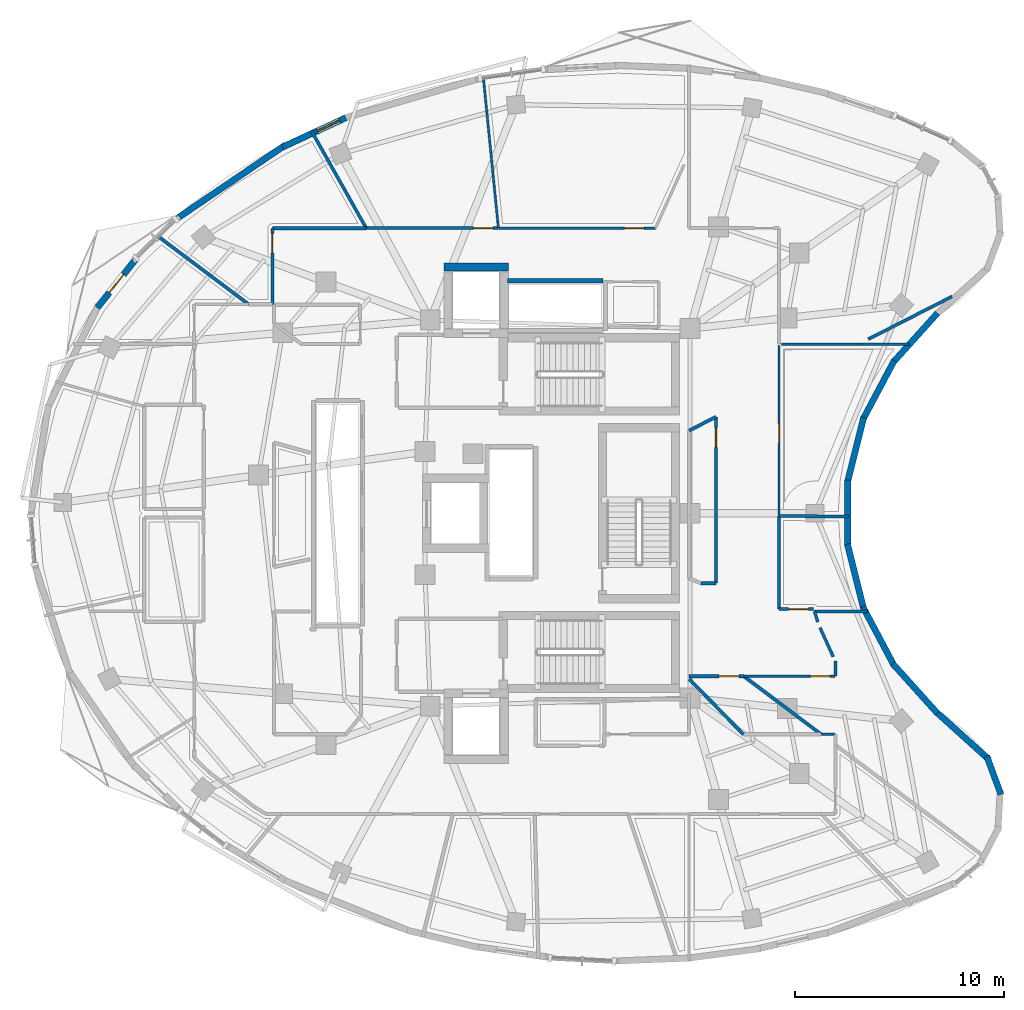
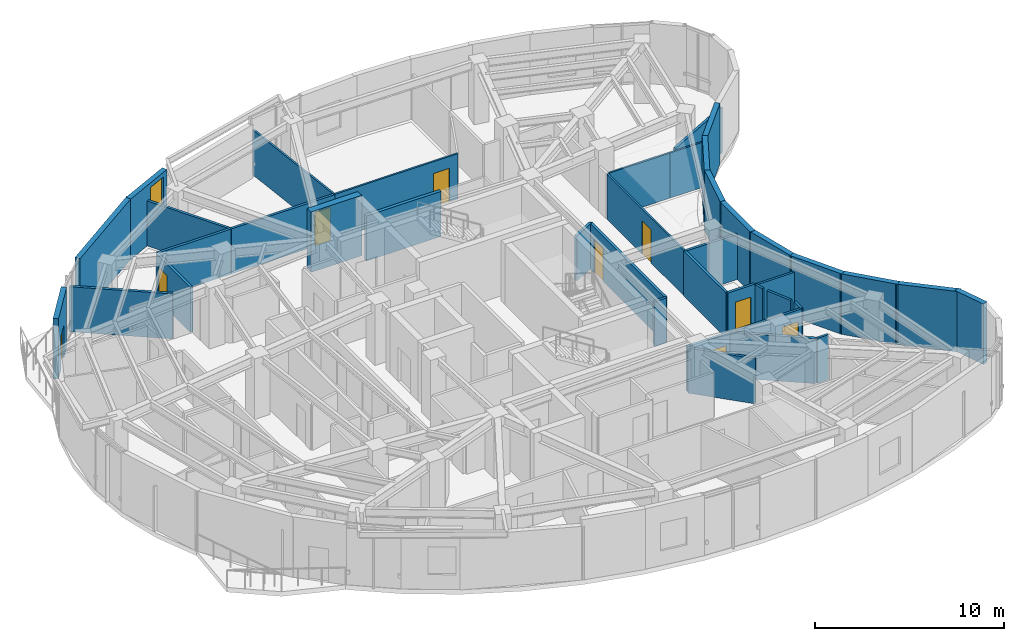
# One storey, part 10 of 14: 40 walls, 9 doors, 1 window, 10 openings.
"""IFC4 building model written with IfcOpenShell, lengths in metres."""

from ifc_helpers import new_model, si_unit, direction, frame, frame_2d, origin, place, context, subcontext, project, spatial, rectangle, extrude, material, layer, layer_set, type_object, element, fill, save


model = new_model("IFC4")

# Units and contexts
model_context = context("Model", 3, precision=1e-05, world=origin(), true_north=direction((0.0, 1.0)))
body_context = subcontext(model_context, "Body", "Model", "MODEL_VIEW")
ifc_project = project(units=[si_unit("LENGTHUNIT", "METRE"), si_unit("AREAUNIT", "SQUARE_METRE"), si_unit("VOLUMEUNIT", "CUBIC_METRE"), si_unit("PLANEANGLEUNIT", "RADIAN"), si_unit("MASSUNIT", "GRAM", prefix="KILO")], contexts=[model_context])

# Site, building, storey
site_placement = place(None, origin())
site = spatial("IfcSite", under=ifc_project, at=site_placement, CompositionType="ELEMENT")
building_placement = place(site_placement, origin())
building = spatial("IfcBuilding", under=site, at=building_placement, Name="Korentha Bioscience Tower", CompositionType="ELEMENT")
storey_placement = place(building_placement, frame((0.0, 0.0, 252.0)))
storey = spatial("IfcBuildingStorey", under=building, at=storey_placement, Name="L58", CompositionType="ELEMENT", Elevation=252.0)

# Wall, opening, door
ifc_material_1 = material(Name="Double-Stud Acoustic Gypsum", Category="gypsum")
ifc_layer_1 = layer(ifc_material_1, 0.14990234375, Name="Double-Stud Acoustic Gypsum")
ifc_layer_set_1 = layer_set([ifc_layer_1], Name="Double-Stud Acoustic Gypsum (IW-L150)")
wall_type_1 = type_object("IfcWallType", Name="Acoustic Laboratory Partition Wall 150", PredefinedType="PARTITIONING", material=ifc_layer_set_1)
wall_1_placement = place(storey_placement, frame((43.463623046875, 22.409912109375, 0.0), z_axis=(0.0, 0.0, 1.0), x_axis=(-1.0, 0.0, 0.0)))
wall_1 = element("IfcWall", 1, at=wall_1_placement, inside=storey, type_object=wall_type_1, Name="L58 Lyophilization Freeze-Drying Room 13 Entrance Wall", PredefinedType="PARTITIONING", context=body_context, shape_type="SweptSolid", body=[
    extrude(rectangle(XDim=1.653564453125, YDim=0.14990234375, at=frame_2d((0.82666015625, 0.0))), origin(), (0.0, 0.0, 1.0), 2.909912109375),
])
opening_1_placement = place(wall_1_placement, frame((0.239990234375, 0.0, 0.0)))
opening_1 = element("IfcOpeningElement", 2, at=opening_1_placement, cuts=wall_1, Name="Opening ID-10L", PredefinedType="OPENING", context=body_context, shape_type="SweptSolid", body=[
    extrude(rectangle(XDim=0.949951171875, YDim=2.14990234375, at=frame_2d((0.47509765625, 1.074951171875))), frame((0.0, 0.08984375, 0.0), z_axis=(0.0, -1.0, 0.0), x_axis=(1.0, 0.0, 0.0)), (0.0, 0.0, 1.0), 0.1796875),
])
ifc_material_2 = material(Name="Phenolic Laminate Timber Core", Category="wood")
door_type_1 = type_object("IfcDoorType", Name="Laboratory Single Leaf Door 950x2150 Left", OperationType="SINGLE_SWING_LEFT", PredefinedType="DOOR", material=ifc_material_2)
door_1_placement = place(opening_1_placement, origin())
door_1 = element("IfcDoor", 3, at=door_1_placement, inside=storey, type_object=door_type_1, Name="L58 Lyophilization Freeze-Drying Room 13 Door", OperationType="SINGLE_SWING_LEFT", OverallHeight=2.14990234375, OverallWidth=0.949951171875, PredefinedType="DOOR", context=body_context, shape_type="SweptSolid", body=[
    extrude(rectangle(XDim=0.949951171875, YDim=2.14990234375, at=frame_2d((0.47509765625, 1.074951171875))), frame((0.0, 0.02490234375, 0.0), z_axis=(0.0, -1.0, 0.0), x_axis=(1.0, 0.0, 0.0)), (0.0, 0.0, 1.0), 0.050048828125),
])
fill(opening_1, door_1)

wall_2_placement = place(storey_placement, frame((28.353515625, 40.659912109375, 0.0), z_axis=(0.0, 0.0, 1.0), x_axis=(-1.0, 0.0, 0.0)))
wall_2 = element("IfcWall", 4, at=wall_2_placement, inside=storey, type_object=wall_type_1, Name="L58 Daylight Break and Coffee Bar 18 Entrance Wall", PredefinedType="PARTITIONING", context=body_context, shape_type="SweptSolid", body=[
    extrude(rectangle(XDim=6.322998046875, YDim=0.14990234375, at=frame_2d((3.16162109375, 0.0))), origin(), (0.0, 0.0, 1.0), 2.909912109375),
])
opening_2_placement = place(wall_2_placement, frame((0.239990234375, 0.0, 0.0)))
opening_2 = element("IfcOpeningElement", 5, at=opening_2_placement, cuts=wall_2, Name="Opening ID-10R", PredefinedType="OPENING", context=body_context, shape_type="SweptSolid", body=[
    extrude(rectangle(XDim=0.949951171875, YDim=2.14990234375, at=frame_2d((0.47509765625, 1.074951171875))), frame((0.0, 0.08984375, 0.0), z_axis=(0.0, -1.0, 0.0), x_axis=(1.0, 0.0, 0.0)), (0.0, 0.0, 1.0), 0.1796875),
])
door_type_2 = type_object("IfcDoorType", Name="Laboratory Single Leaf Door 950x2150 Right", OperationType="SINGLE_SWING_RIGHT", PredefinedType="DOOR", material=ifc_material_2)
door_2_placement = place(opening_2_placement, origin())
door_2 = element("IfcDoor", 6, at=door_2_placement, inside=storey, type_object=door_type_2, Name="L58 Daylight Break and Coffee Bar 18 Door", OperationType="SINGLE_SWING_RIGHT", OverallHeight=2.14990234375, OverallWidth=0.949951171875, PredefinedType="DOOR", context=body_context, shape_type="SweptSolid", body=[
    extrude(rectangle(XDim=0.949951171875, YDim=2.14990234375, at=frame_2d((0.47509765625, 1.074951171875))), frame((0.0, 0.02490234375, 0.0), z_axis=(0.0, -1.0, 0.0), x_axis=(1.0, 0.0, 0.0)), (0.0, 0.0, 1.0), 0.050048828125),
])
fill(opening_2, door_2)

# Walls
wall_3_placement = place(storey_placement, frame((41.81005859375, 22.409912109375, 0.0), z_axis=(0.0, 0.0, 1.0), x_axis=(0.0, 1.0, 0.0)))
element("IfcWall", 7, at=wall_3_placement, inside=storey, type_object=wall_type_1, Name="L58 Interior Partition 078", PredefinedType="PARTITIONING", context=body_context, shape_type="SweptSolid", body=[
    extrude(rectangle(XDim=4.46142578125, YDim=0.14990234375, at=frame_2d((2.230712890625, 0.0))), origin(), (0.0, 0.0, 1.0), 2.909912109375),
])
wall_4_placement = place(storey_placement, frame((41.81005859375, 26.871337890625, 0.0), z_axis=(0.0, 0.0, 1.0), x_axis=(0.999945909762, -0.010400843773, 0.0)))
element("IfcWall", 8, at=wall_4_placement, inside=storey, type_object=wall_type_1, Name="L58 Interior Partition 079", PredefinedType="PARTITIONING", context=body_context, shape_type="SweptSolid", body=[
    extrude(rectangle(XDim=3.333251953125, YDim=0.14990234375, at=frame_2d((1.66650390625, 0.0))), origin(), (0.0, 0.0, 1.0), 2.909912109375),
])
wall_5_placement = place(storey_placement, frame((50.10009765625, 37.3837890625, 0.0), z_axis=(0.0, 0.0, 1.0), x_axis=(-0.890998975223, -0.454005315114, 0.0)))
element("IfcWall", 9, at=wall_5_placement, inside=storey, type_object=wall_type_1, Name="L58 Interior Partition 088", PredefinedType="PARTITIONING", context=body_context, shape_type="SweptSolid", body=[
    extrude(rectangle(XDim=4.50634765625, YDim=0.14990234375, at=frame_2d((2.253173828125, 0.0))), origin(), (0.0, 0.0, 1.0), 2.909912109375),
])
wall_6_placement = place(storey_placement, frame((22.030517578125, 40.659912109375, 0.0), z_axis=(0.0, 0.0, 1.0), x_axis=(-0.490903118402, 0.871214169044, 0.0)))
element("IfcWall", 10, at=wall_6_placement, inside=storey, type_object=wall_type_1, Name="L58 Interior Partition 093", PredefinedType="PARTITIONING", context=body_context, shape_type="SweptSolid", body=[
    extrude(rectangle(XDim=5.3623046875, YDim=0.14990234375, at=frame_2d((2.68115234375, 0.0))), origin(), (0.0, 0.0, 1.0), 2.909912109375),
])

# Wall, opening, door
ifc_material_3 = material(Name="Insulated Aluminium Honeycomb Panel", Category="aluminium")
ifc_layer_2 = layer(ifc_material_3, 0.139892578125, Name="Insulated Aluminium Honeycomb Panel")
ifc_layer_set_2 = layer_set([ifc_layer_2], Name="Insulated Aluminium Honeycomb Panel (IW-F60)")
wall_type_2 = type_object("IfcWallType", Name="Cleanroom Flush Metal Panel Partition 140", PredefinedType="PARTITIONING", material=ifc_layer_set_2)
wall_7_placement = place(storey_placement, frame((40.140380859375, 19.18994140625, 0.0), z_axis=(0.0, 0.0, 1.0), x_axis=(1.0, 0.0, 0.0)))
wall_7 = element("IfcWall", 11, at=wall_7_placement, inside=storey, type_object=wall_type_2, Name="L58 Vaccine Formulation Cleanroom 12 Entrance Wall", PredefinedType="PARTITIONING", context=body_context, shape_type="SweptSolid", body=[
    extrude(rectangle(XDim=4.359619140625, YDim=0.139892578125, at=frame_2d((2.1796875, 0.0))), origin(), (0.0, 0.0, 1.0), 2.909912109375),
])
opening_3_placement = place(wall_7_placement, frame((3.169677734375, 0.0, 0.0)))
opening_3 = element("IfcOpeningElement", 12, at=opening_3_placement, cuts=wall_7, Name="Opening ID-10R", PredefinedType="OPENING", context=body_context, shape_type="SweptSolid", body=[
    extrude(rectangle(XDim=0.949951171875, YDim=2.14990234375, at=frame_2d((0.47509765625, 1.074951171875))), frame((0.0, 0.0849609375, 0.0), z_axis=(0.0, -1.0, 0.0), x_axis=(1.0, 0.0, 0.0)), (0.0, 0.0, 1.0), 0.169677734375),
])
door_3_placement = place(opening_3_placement, origin())
door_3 = element("IfcDoor", 13, at=door_3_placement, inside=storey, type_object=door_type_2, Name="L58 Vaccine Formulation Cleanroom 12 Door", OperationType="SINGLE_SWING_RIGHT", OverallHeight=2.14990234375, OverallWidth=0.949951171875, PredefinedType="DOOR", context=body_context, shape_type="SweptSolid", body=[
    extrude(rectangle(XDim=0.949951171875, YDim=2.14990234375, at=frame_2d((0.47509765625, 1.074951171875))), frame((0.0, 0.02490234375, 0.0), z_axis=(0.0, -1.0, 0.0), x_axis=(1.0, 0.0, 0.0)), (0.0, 0.0, 1.0), 0.050048828125),
])
fill(opening_3, door_3)

# Walls
wall_8_placement = place(storey_placement, frame((44.5, 16.409912109375, 0.0), z_axis=(0.0, 0.0, 1.0), x_axis=(-1.0, 0.0, 0.0)))
element("IfcWall", 14, at=wall_8_placement, inside=storey, type_object=wall_type_2, Name="L58 Interior Partition 073", PredefinedType="PARTITIONING", context=body_context, shape_type="SweptSolid", body=[
    extrude(rectangle(XDim=0.663818359375, YDim=0.139892578125, at=frame_2d((0.33203125, 0.0))), origin(), (0.0, 0.0, 1.0), 2.909912109375),
])
wall_9_placement = place(storey_placement, frame((44.510009765625, 19.199951171875, 0.0), z_axis=(0.0, 0.0, 1.0), x_axis=(0.0, 1.0, 0.0)))
element("IfcWall", 15, at=wall_9_placement, inside=storey, type_object=wall_type_2, Name="L58 Interior Partition 074", PredefinedType="PARTITIONING", context=body_context, shape_type="SweptSolid", body=[
    extrude(rectangle(XDim=0.71044921875, YDim=0.139892578125, at=frame_2d((0.355224609375, 0.0))), origin(), (0.0, 0.0, 1.0), 2.909912109375),
])
wall_10_placement = place(storey_placement, frame((44.40576171875, 20.124267578125, 0.0), z_axis=(0.0, 0.0, 1.0), x_axis=(-0.414730972931, 0.909944075255, 0.0)))
element("IfcWall", 16, at=wall_10_placement, inside=storey, type_object=wall_type_2, Name="L58 Interior Partition 075", PredefinedType="PARTITIONING", context=body_context, shape_type="SweptSolid", body=[
    extrude(rectangle(XDim=1.52587890625, YDim=0.139892578125, at=frame_2d((0.762939453125, 0.0))), origin(), (0.0, 0.0, 1.0), 2.909912109375),
])
wall_11_placement = place(storey_placement, frame((43.66650390625, 21.7900390625, 0.0), z_axis=(0.0, 0.0, 1.0), x_axis=(-0.300648780423, 0.953734926922, 0.0)))
element("IfcWall", 17, at=wall_11_placement, inside=storey, type_object=wall_type_2, Name="L58 Interior Partition 076", PredefinedType="PARTITIONING", context=body_context, shape_type="SweptSolid", body=[
    extrude(rectangle(XDim=0.53271484375, YDim=0.139892578125, at=frame_2d((0.266357421875, 0.0))), origin(), (0.0, 0.0, 1.0), 2.909912109375),
])
wall_12_placement = place(storey_placement, frame((43.50634765625, 22.298095703125, 0.0), z_axis=(0.0, 0.0, 1.0), x_axis=(1.0, 0.0, 0.0)))
element("IfcWall", 18, at=wall_12_placement, inside=storey, type_object=wall_type_2, Name="L58 Interior Partition 077", PredefinedType="PARTITIONING", context=body_context, shape_type="SweptSolid", body=[
    extrude(rectangle(XDim=2.5302734375, YDim=0.139892578125, at=frame_2d((1.26513671875, 0.0))), origin(), (0.0, 0.0, 1.0), 2.909912109375),
])

# Wall, opening, door
ifc_material_4 = material(Name="Fire-Rated Framed Glass", Category="glass")
ifc_layer_3 = layer(ifc_material_4, 0.110107421875, Name="Fire-Rated Framed Glass")
ifc_layer_set_3 = layer_set([ifc_layer_3], Name="Fire-Rated Framed Glass (IW-G110)")
wall_type_3 = type_object("IfcWallType", Name="Demountable Glazed Office Partition 110", PredefinedType="MOVABLE", material=ifc_layer_set_3)
wall_13_placement = place(storey_placement, frame((41.81005859375, 26.88134765625, 0.0), z_axis=(0.0, 0.0, 1.0), x_axis=(0.0, 1.0, 0.0)))
wall_13 = element("IfcWall", 19, at=wall_13_placement, inside=storey, type_object=wall_type_3, Name="L58 Epidemiology Modelling Studio 15 Entrance Wall", PredefinedType="MOVABLE", context=body_context, shape_type="SweptSolid", body=[
    extrude(rectangle(XDim=8.1455078125, YDim=0.110107421875, at=frame_2d((4.07275390625, 0.0))), origin(), (0.0, 0.0, 1.0), 2.909912109375),
])
opening_4_placement = place(wall_13_placement, frame((3.470458984375, 0.0, 0.0)))
opening_4 = element("IfcOpeningElement", 20, at=opening_4_placement, cuts=wall_13, Name="Opening ID-10L", PredefinedType="OPENING", context=body_context, shape_type="SweptSolid", body=[
    extrude(rectangle(XDim=0.949951171875, YDim=2.14990234375, at=frame_2d((0.47509765625, 1.074951171875))), frame((0.0, 0.06982421875, 0.0), z_axis=(0.0, -1.0, 0.0), x_axis=(1.0, 0.0, 0.0)), (0.0, 0.0, 1.0), 0.139892578125),
])
door_4_placement = place(opening_4_placement, origin())
door_4 = element("IfcDoor", 21, at=door_4_placement, inside=storey, type_object=door_type_1, Name="L58 Epidemiology Modelling Studio 15 Door", OperationType="SINGLE_SWING_LEFT", OverallHeight=2.14990234375, OverallWidth=0.949951171875, PredefinedType="DOOR", context=body_context, shape_type="SweptSolid", body=[
    extrude(rectangle(XDim=0.949951171875, YDim=2.14990234375, at=frame_2d((0.47509765625, 1.074951171875))), frame((0.0, 0.02490234375, 0.0), z_axis=(0.0, -1.0, 0.0), x_axis=(1.0, 0.0, 0.0)), (0.0, 0.0, 1.0), 0.050048828125),
])
fill(opening_4, door_4)

wall_14_placement = place(storey_placement, frame((35.890625, 40.659912109375, 0.0), z_axis=(0.0, 0.0, 1.0), x_axis=(-1.0, 0.0, 0.0)))
wall_14 = element("IfcWall", 22, at=wall_14_placement, inside=storey, type_object=wall_type_3, Name="L58 Grant Review Seminar Room 17 Entrance Wall", PredefinedType="MOVABLE", context=body_context, shape_type="SweptSolid", body=[
    extrude(rectangle(XDim=7.52685546875, YDim=0.110107421875, at=frame_2d((3.763427734375, 0.0))), origin(), (0.0, 0.0, 1.0), 2.909912109375),
])
opening_5_placement = place(wall_14_placement, frame((0.54052734375, 0.0, 0.0)))
opening_5 = element("IfcOpeningElement", 23, at=opening_5_placement, cuts=wall_14, Name="Opening ID-10L", PredefinedType="OPENING", context=body_context, shape_type="SweptSolid", body=[
    extrude(rectangle(XDim=0.949951171875, YDim=2.14990234375, at=frame_2d((0.47509765625, 1.074951171875))), frame((0.0, 0.06982421875, 0.0), z_axis=(0.0, -1.0, 0.0), x_axis=(1.0, 0.0, 0.0)), (0.0, 0.0, 1.0), 0.139892578125),
])
door_5_placement = place(opening_5_placement, origin())
door_5 = element("IfcDoor", 24, at=door_5_placement, inside=storey, type_object=door_type_1, Name="L58 Grant Review Seminar Room 17 Door", OperationType="SINGLE_SWING_LEFT", OverallHeight=2.14990234375, OverallWidth=0.949951171875, PredefinedType="DOOR", context=body_context, shape_type="SweptSolid", body=[
    extrude(rectangle(XDim=0.949951171875, YDim=2.14990234375, at=frame_2d((0.47509765625, 1.074951171875))), frame((0.0, 0.02490234375, 0.0), z_axis=(0.0, -1.0, 0.0), x_axis=(1.0, 0.0, 0.0)), (0.0, 0.0, 1.0), 0.050048828125),
])
fill(opening_5, door_5)

# Walls
wall_15_placement = place(storey_placement, frame((41.917236328125, 35.097900390625, 0.0), z_axis=(0.0, 0.0, 1.0), x_axis=(1.0, 0.0, 0.0)))
element("IfcWall", 25, at=wall_15_placement, inside=storey, type_object=wall_type_3, Name="L58 Interior Partition 085", PredefinedType="MOVABLE", context=body_context, shape_type="SweptSolid", body=[
    extrude(rectangle(XDim=3.696533203125, YDim=0.110107421875, at=frame_2d((1.84814453125, 0.0))), origin(), (0.0, 0.0, 1.0), 2.909912109375),
])
wall_16_placement = place(storey_placement, frame((45.622802734375, 35.097900390625, 0.0), z_axis=(0.0, 0.0, 1.0), x_axis=(1.0, 0.0, 0.0)))
element("IfcWall", 26, at=wall_16_placement, inside=storey, type_object=wall_type_3, Name="L58 Interior Partition 086", PredefinedType="MOVABLE", context=body_context, shape_type="SweptSolid", body=[
    extrude(rectangle(XDim=2.429443359375, YDim=0.110107421875, at=frame_2d((1.21484375, 0.0))), origin(), (0.0, 0.0, 1.0), 2.909912109375),
])
wall_17_placement = place(storey_placement, frame((28.36376953125, 40.659912109375, 0.0), z_axis=(0.0, 0.0, 1.0), x_axis=(-0.09933896822, 0.995053651515, 0.0)))
element("IfcWall", 27, at=wall_17_placement, inside=storey, type_object=wall_type_3, Name="L58 Interior Partition 092", PredefinedType="MOVABLE", context=body_context, shape_type="SweptSolid", body=[
    extrude(rectangle(XDim=7.336181640625, YDim=0.110107421875, at=frame_2d((3.66796875, 0.0))), origin(), (0.0, 0.0, 1.0), 2.909912109375),
])

# Wall, opening, door
ifc_material_5 = material(Name="Gypsum-Clad Steel Stud", Category="steel")
ifc_layer_4 = layer(ifc_material_5, 0.159912109375, Name="Gypsum-Clad Steel Stud")
ifc_layer_set_4 = layer_set([ifc_layer_4], Name="Gypsum-Clad Steel Stud (IW-C160)")
wall_type_4 = type_object("IfcWallType", Name="Fire-Rated Corridor Partition Wall 160", PredefinedType="PARTITIONING", material=ifc_layer_set_4)
wall_18_placement = place(storey_placement, frame((37.501953125, 19.18994140625, 0.0), z_axis=(0.0, 0.0, 1.0), x_axis=(1.0, 0.0, 0.0)))
wall_18 = element("IfcWall", 28, at=wall_18_placement, inside=storey, type_object=wall_type_4, Name="L58 Reference Archive Vault 10 Entrance Wall", PredefinedType="PARTITIONING", context=body_context, shape_type="SweptSolid", body=[
    extrude(rectangle(XDim=2.621826171875, YDim=0.159912109375, at=frame_2d((1.31103515625, 0.0))), origin(), (0.0, 0.0, 1.0), 2.909912109375),
])
opening_6_placement = place(wall_18_placement, frame((1.431640625, 0.0, 0.0)))
opening_6 = element("IfcOpeningElement", 29, at=opening_6_placement, cuts=wall_18, Name="Opening ID-10R", PredefinedType="OPENING", context=body_context, shape_type="SweptSolid", body=[
    extrude(rectangle(XDim=0.949951171875, YDim=2.14990234375, at=frame_2d((0.47509765625, 1.074951171875))), frame((0.0, 0.0947265625, 0.0), z_axis=(0.0, -1.0, 0.0), x_axis=(1.0, 0.0, 0.0)), (0.0, 0.0, 1.0), 0.189697265625),
])
door_6_placement = place(opening_6_placement, origin())
door_6 = element("IfcDoor", 30, at=door_6_placement, inside=storey, type_object=door_type_2, Name="L58 Reference Archive Vault 10 Door", OperationType="SINGLE_SWING_RIGHT", OverallHeight=2.14990234375, OverallWidth=0.949951171875, PredefinedType="DOOR", context=body_context, shape_type="SweptSolid", body=[
    extrude(rectangle(XDim=0.949951171875, YDim=2.14990234375, at=frame_2d((0.47509765625, 1.074951171875))), frame((0.0, 0.02490234375, 0.0), z_axis=(0.0, -1.0, 0.0), x_axis=(1.0, 0.0, 0.0)), (0.0, 0.0, 1.0), 0.050048828125),
])
fill(opening_6, door_6)

wall_19_placement = place(storey_placement, frame((38.7900390625, 31.61669921875, 0.0), z_axis=(0.0, 0.0, 1.0), x_axis=(0.0, -1.0, 0.0)))
wall_19 = element("IfcWall", 31, at=wall_19_placement, inside=storey, type_object=wall_type_4, Name="L58 Cold-Chain Stability Chamber 14 Entrance Wall", PredefinedType="PARTITIONING", context=body_context, shape_type="SweptSolid", body=[
    extrude(rectangle(XDim=7.964599609375, YDim=0.159912109375, at=frame_2d((3.982421875, 0.0))), origin(), (0.0, 0.0, 1.0), 2.909912109375),
])
opening_7_placement = place(wall_19_placement, frame((0.51708984375, 0.0, 0.0)))
opening_7 = element("IfcOpeningElement", 32, at=opening_7_placement, cuts=wall_19, Name="Opening ID-10R", PredefinedType="OPENING", context=body_context, shape_type="SweptSolid", body=[
    extrude(rectangle(XDim=0.949951171875, YDim=2.14990234375, at=frame_2d((0.47509765625, 1.074951171875))), frame((0.0, 0.0947265625, 0.0), z_axis=(0.0, -1.0, 0.0), x_axis=(1.0, 0.0, 0.0)), (0.0, 0.0, 1.0), 0.189697265625),
])
door_7_placement = place(opening_7_placement, origin())
door_7 = element("IfcDoor", 33, at=door_7_placement, inside=storey, type_object=door_type_2, Name="L58 Cold-Chain Stability Chamber 14 Door", OperationType="SINGLE_SWING_RIGHT", OverallHeight=2.14990234375, OverallWidth=0.949951171875, PredefinedType="DOOR", context=body_context, shape_type="SweptSolid", body=[
    extrude(rectangle(XDim=0.949951171875, YDim=2.14990234375, at=frame_2d((0.47509765625, 1.074951171875))), frame((0.0, 0.02490234375, 0.0), z_axis=(0.0, -1.0, 0.0), x_axis=(1.0, 0.0, 0.0)), (0.0, 0.0, 1.0), 0.050048828125),
])
fill(opening_7, door_7)

wall_20_placement = place(storey_placement, frame((17.5400390625, 40.64990234375, 0.0), z_axis=(0.0, 0.0, 1.0), x_axis=(0.0, -1.0, 0.0)))
wall_20 = element("IfcWall", 34, at=wall_20_placement, inside=storey, type_object=wall_type_4, Name="L58 Reference Archive Vault 19 Entrance Wall", PredefinedType="PARTITIONING", context=body_context, shape_type="SweptSolid", body=[
    extrude(rectangle(XDim=3.639892578125, YDim=0.159912109375, at=frame_2d((1.81982421875, 0.0))), origin(), (0.0, 0.0, 1.0), 2.909912109375),
])
opening_8_placement = place(wall_20_placement, frame((0.239990234375, 0.0, 0.0)))
opening_8 = element("IfcOpeningElement", 35, at=opening_8_placement, cuts=wall_20, Name="Opening ID-10L", PredefinedType="OPENING", context=body_context, shape_type="SweptSolid", body=[
    extrude(rectangle(XDim=0.949951171875, YDim=2.14990234375, at=frame_2d((0.47509765625, 1.074951171875))), frame((0.0, 0.0947265625, 0.0), z_axis=(0.0, -1.0, 0.0), x_axis=(1.0, 0.0, 0.0)), (0.0, 0.0, 1.0), 0.189697265625),
])
door_8_placement = place(opening_8_placement, origin())
door_8 = element("IfcDoor", 36, at=door_8_placement, inside=storey, type_object=door_type_1, Name="L58 Reference Archive Vault 19 Door", OperationType="SINGLE_SWING_LEFT", OverallHeight=2.14990234375, OverallWidth=0.949951171875, PredefinedType="DOOR", context=body_context, shape_type="SweptSolid", body=[
    extrude(rectangle(XDim=0.949951171875, YDim=2.14990234375, at=frame_2d((0.47509765625, 1.074951171875))), frame((0.0, 0.02490234375, 0.0), z_axis=(0.0, -1.0, 0.0), x_axis=(1.0, 0.0, 0.0)), (0.0, 0.0, 1.0), 0.050048828125),
])
fill(opening_8, door_8)

# Walls
wall_21_placement = place(storey_placement, frame((40.123779296875, 19.18994140625, 0.0), z_axis=(0.0, 0.0, 1.0), x_axis=(0.799683516567, -0.600421746218, 0.0)))
element("IfcWall", 37, at=wall_21_placement, inside=storey, type_object=wall_type_4, Name="L58 Interior Partition 067", PredefinedType="PARTITIONING", context=body_context, shape_type="SweptSolid", body=[
    extrude(rectangle(XDim=4.630126953125, YDim=0.159912109375, at=frame_2d((2.31494140625, 0.0))), origin(), (0.0, 0.0, 1.0), 2.909912109375),
])
wall_22_placement = place(storey_placement, frame((40.098388671875, 16.409912109375, 0.0), z_axis=(0.0, 0.0, 1.0), x_axis=(-0.69966677512, 0.714469316201, 0.0)))
element("IfcWall", 38, at=wall_22_placement, inside=storey, type_object=wall_type_4, Name="L58 Interior Partition 069", PredefinedType="PARTITIONING", context=body_context, shape_type="SweptSolid", body=[
    extrude(rectangle(XDim=3.7109375, YDim=0.159912109375, at=frame_2d((1.85546875, 0.0))), origin(), (0.0, 0.0, 1.0), 2.909912109375),
])
wall_23_placement = place(storey_placement, frame((37.502197265625, 30.960205078125, 0.0), z_axis=(0.0, 0.0, 1.0), x_axis=(0.890920886731, 0.454158533539, 0.0)))
element("IfcWall", 39, at=wall_23_placement, inside=storey, type_object=wall_type_4, Name="L58 Interior Partition 081", PredefinedType="PARTITIONING", context=body_context, shape_type="SweptSolid", body=[
    extrude(rectangle(XDim=1.445556640625, YDim=0.159912109375, at=frame_2d((0.72265625, 0.0))), origin(), (0.0, 0.0, 1.0), 2.909912109375),
])
wall_24_placement = place(storey_placement, frame((38.7900390625, 23.652099609375, 0.0), z_axis=(0.0, 0.0, 1.0), x_axis=(-1.0, 0.0, 0.0)))
element("IfcWall", 40, at=wall_24_placement, inside=storey, type_object=wall_type_4, Name="L58 Interior Partition 082", PredefinedType="PARTITIONING", context=body_context, shape_type="SweptSolid", body=[
    extrude(rectangle(XDim=0.73095703125, YDim=0.159912109375, at=frame_2d((0.365478515625, 0.0))), origin(), (0.0, 0.0, 1.0), 2.909912109375),
])
wall_25_placement = place(storey_placement, frame((22.018798828125, 40.659912109375, 0.0), z_axis=(0.0, 0.0, 1.0), x_axis=(-1.0, 0.0, 0.0)))
element("IfcWall", 41, at=wall_25_placement, inside=storey, type_object=wall_type_4, Name="L58 Interior Partition 094", PredefinedType="PARTITIONING", context=body_context, shape_type="SweptSolid", body=[
    extrude(rectangle(XDim=4.46875, YDim=0.159912109375, at=frame_2d((2.234375, 0.0))), origin(), (0.0, 0.0, 1.0), 2.909912109375),
])
wall_26_placement = place(storey_placement, frame((16.396484375, 37.010009765625, 0.0), z_axis=(0.0, 0.0, 1.0), x_axis=(-0.799686236125, 0.600418124104, 0.0)))
element("IfcWall", 42, at=wall_26_placement, inside=storey, type_object=wall_type_4, Name="L58 Interior Partition 096", PredefinedType="PARTITIONING", context=body_context, shape_type="SweptSolid", body=[
    extrude(rectangle(XDim=5.510986328125, YDim=0.159912109375, at=frame_2d((2.75537109375, 0.0))), origin(), (0.0, 0.0, 1.0), 2.909912109375),
])

# Wall, opening, window
ifc_material_6 = material(Name="Honed Limestone Precast Concrete C40", Category="masonry")
ifc_layer_5 = layer(ifc_material_6, 0.300048828125, Name="Honed Limestone Precast Concrete C40")
ifc_layer_set_5 = layer_set([ifc_layer_5], Name="Honed Limestone Precast Concrete C40 (EW-ST300)")
wall_type_5 = type_object("IfcWallType", Name="Honed Limestone Cavity Spandrel Wall 300", PredefinedType="STANDARD", material=ifc_layer_set_5)
wall_27_placement = place(storey_placement, frame((21.05419921875, 45.946533203125, 0.0), z_axis=(0.0, 0.0, 1.0), x_axis=(-0.907141680649, -0.420825345278, 0.0)))
wall_27 = element("IfcWall", 43, at=wall_27_placement, inside=storey, type_object=wall_type_5, Name="L58 Honed Limestone Spandrel Wall 10", PredefinedType="STANDARD", context=body_context, shape_type="SweptSolid", body=[
    extrude(rectangle(XDim=3.33642578125, YDim=0.300048828125, at=frame_2d((1.668212890625, 0.0))), origin(), (0.0, 0.0, 1.0), 3.89990234375),
])
opening_9_placement = place(wall_27_placement, frame((0.326416015625, 0.0, 0.89990234375)))
opening_9 = element("IfcOpeningElement", 44, at=opening_9_placement, cuts=wall_27, Name="Opening WN-03", PredefinedType="OPENING", context=body_context, shape_type="SweptSolid", body=[
    extrude(rectangle(XDim=1.199951171875, YDim=2.699951171875, at=frame_2d((0.60009765625, 1.35009765625))), frame((0.0, 0.1650390625, 0.0), z_axis=(0.0, -1.0, 0.0), x_axis=(1.0, 0.0, 0.0)), (0.0, 0.0, 1.0), 0.329833984375),
])
ifc_material_7 = material(Name="Thermally Broken Aluminium Triple Glazing", Category="aluminium")
window_type = type_object("IfcWindowType", Name="Theatre Foyer Tall Ribbon Window 1200x2700", PartitioningType="SINGLE_PANEL", PredefinedType="WINDOW", material=ifc_material_7)
window_placement = place(opening_9_placement, origin())
window = element("IfcWindow", 45, at=window_placement, inside=storey, type_object=window_type, Name="L58 Facade Window 10", OverallHeight=2.699951171875, OverallWidth=1.199951171875, PartitioningType="SINGLE_PANEL", PredefinedType="WINDOW", context=body_context, shape_type="SweptSolid", body=[
    extrude(rectangle(XDim=1.199951171875, YDim=2.699951171875, at=frame_2d((0.60009765625, 1.35009765625))), frame((0.0, 0.030029296875, 0.0), z_axis=(0.0, -1.0, 0.0), x_axis=(1.0, 0.0, 0.0)), (0.0, 0.0, 1.0), 0.06005859375),
])
fill(opening_9, window)

# Wall, opening, door
wall_28_placement = place(storey_placement, frame((10.985595703125, 39.161376953125, 0.0), z_axis=(0.0, 0.0, 1.0), x_axis=(-0.620861534092, -0.783920248166, 0.0)))
wall_28 = element("IfcWall", 46, at=wall_28_placement, inside=storey, type_object=wall_type_5, Name="L58 Balcony Threshold Wall 02", PredefinedType="STANDARD", context=body_context, shape_type="SweptSolid", body=[
    extrude(rectangle(XDim=2.95703125, YDim=0.300048828125, at=frame_2d((1.478515625, 0.0))), origin(), (0.0, 0.0, 1.0), 3.89990234375),
])
opening_10_placement = place(wall_28_placement, frame((0.9287109375, 0.0, 0.0)))
opening_10 = element("IfcOpeningElement", 47, at=opening_10_placement, cuts=wall_28, Name="Opening BD-11R", PredefinedType="OPENING", context=body_context, shape_type="SweptSolid", body=[
    extrude(rectangle(XDim=1.10009765625, YDim=2.14990234375, at=frame_2d((0.550048828125, 1.074951171875))), frame((0.0, 0.1650390625, 0.0), z_axis=(0.0, -1.0, 0.0), x_axis=(1.0, 0.0, 0.0)), (0.0, 0.0, 1.0), 0.329833984375),
])
ifc_material_8 = material(Name="Thermally Broken Glazed Aluminium", Category="aluminium")
door_type_3 = type_object("IfcDoorType", Name="Balcony Terrace Glazed Door 1100x2150 Right", OperationType="SINGLE_SWING_RIGHT", PredefinedType="DOOR", material=ifc_material_8)
door_9_placement = place(opening_10_placement, origin())
door_9 = element("IfcDoor", 48, at=door_9_placement, inside=storey, type_object=door_type_3, Name="L58 Balcony Access Door 02", OperationType="SINGLE_SWING_RIGHT", OverallHeight=2.14990234375, OverallWidth=1.10009765625, PredefinedType="DOOR", context=body_context, shape_type="SweptSolid", body=[
    extrude(rectangle(XDim=1.10009765625, YDim=2.14990234375, at=frame_2d((0.550048828125, 1.074951171875))), frame((0.0, 0.02490234375, 0.0), z_axis=(0.0, -1.0, 0.0), x_axis=(1.0, 0.0, 0.0)), (0.0, 0.0, 1.0), 0.050048828125),
])
fill(opening_10, door_9)

# Walls
wall_29_placement = place(storey_placement, frame((18.159423828125, 44.641845703125, 0.0), z_axis=(0.0, 0.0, 1.0), x_axis=(-0.827734383496, -0.561120121167, 0.0)))
element("IfcWall", 49, at=wall_29_placement, inside=storey, type_object=wall_type_5, Name="L58 Limestone Perimeter Closure Wall 11", PredefinedType="STANDARD", context=body_context, shape_type="SweptSolid", body=[
    extrude(rectangle(XDim=6.31103515625, YDim=0.300048828125, at=frame_2d((3.155517578125, 0.0))), origin(), (0.0, 0.0, 1.0), 3.89990234375),
])
wall_30_placement = place(storey_placement, frame((52.44580078125, 13.521728515625, 0.0), z_axis=(0.0, 0.0, 1.0), x_axis=(-0.347476023118, 0.9376888681, 0.0)))
element("IfcWall", 50, at=wall_30_placement, inside=storey, type_object=wall_type_5, Name="L58 Limestone Perimeter Closure Wall 40", PredefinedType="STANDARD", context=body_context, shape_type="SweptSolid", body=[
    extrude(rectangle(XDim=1.96728515625, YDim=0.300048828125, at=frame_2d((0.983642578125, 0.0))), origin(), (0.0, 0.0, 1.0), 3.89990234375),
])
wall_31_placement = place(storey_placement, frame((51.886962890625, 15.1826171875, 0.0), z_axis=(0.0, 0.0, 1.0), x_axis=(-0.742603888691, 0.669730889612, 0.0)))
element("IfcWall", 51, at=wall_31_placement, inside=storey, type_object=wall_type_5, Name="L58 Limestone Perimeter Closure Wall 41", PredefinedType="STANDARD", context=body_context, shape_type="SweptSolid", body=[
    extrude(rectangle(XDim=3.484130859375, YDim=0.300048828125, at=frame_2d((1.7421875, 0.0))), origin(), (0.0, 0.0, 1.0), 3.89990234375),
])
wall_32_placement = place(storey_placement, frame((49.40234375, 17.413330078125, 0.0), z_axis=(0.0, 0.0, 1.0), x_axis=(-0.669137170675, 0.743138914888, 0.0)))
element("IfcWall", 52, at=wall_32_placement, inside=storey, type_object=wall_type_5, Name="L58 Limestone Perimeter Closure Wall 43", PredefinedType="STANDARD", context=body_context, shape_type="SweptSolid", body=[
    extrude(rectangle(XDim=3.206787109375, YDim=0.300048828125, at=frame_2d((1.603515625, 0.0))), origin(), (0.0, 0.0, 1.0), 3.89990234375),
])
for number, where, z_axis, x_axis, name in (
    (53, (47.328125, 19.694091796875, 0.0), (0.0, 0.0, 1.0), (-0.469457656924, 0.882954986596, 0.0), "L58 Limestone Perimeter Closure Wall 45"),
    (54, (45.867431640625, 22.4091796875, 0.0), (0.0, 0.0, 1.0), (-0.241890637233, 0.970303519327, 0.0), "L58 Limestone Perimeter Closure Wall 47"),
    (55, (45.10693359375, 25.396728515625, 0.0), (0.0, 0.0, 1.0), (0.0, 1.0, 0.0), "L58 Limestone Perimeter Closure Wall 49"),
    (56, (45.091796875, 28.4794921875, 0.0), (0.0, 0.0, 1.0), (0.241890637233, 0.970303519327, 0.0), "L58 Limestone Perimeter Closure Wall 51"),
    (57, (45.82275390625, 31.474609375, 0.0), (0.0, 0.0, 1.0), (0.469457656924, 0.882954986596, 0.0), "L58 Limestone Perimeter Closure Wall 53"),
):
    element("IfcWall", number, at=place(storey_placement, frame(where, z_axis=z_axis, x_axis=x_axis)), inside=storey, type_object=wall_type_5, Name=name, PredefinedType="STANDARD", context=body_context, shape_type="SweptSolid", body=[
        extrude(rectangle(XDim=3.20654296875, YDim=0.300048828125, at=frame_2d((1.603271484375, 0.0))), origin(), (0.0, 0.0, 1.0), 3.89990234375),
    ])
wall_33_placement = place(storey_placement, frame((47.256591796875, 34.20361328125, 0.0), z_axis=(0.0, 0.0, 1.0), x_axis=(0.669137170675, 0.743138914888, 0.0)))
element("IfcWall", 58, at=wall_33_placement, inside=storey, type_object=wall_type_5, Name="L58 Limestone Perimeter Closure Wall 55", PredefinedType="STANDARD", context=body_context, shape_type="SweptSolid", body=[
    extrude(rectangle(XDim=3.206787109375, YDim=0.300048828125, at=frame_2d((1.603515625, 0.0))), origin(), (0.0, 0.0, 1.0), 3.89990234375),
])
ifc_material_9 = material(Name="Autoclaved Aerated Concrete Block C25", Category="concrete")
ifc_layer_6 = layer(ifc_material_9, 0.199951171875, Name="Autoclaved Aerated Concrete Block C25")
ifc_layer_set_6 = layer_set([ifc_layer_6], Name="Autoclaved Aerated Concrete Block C25 (IW-S200)")
wall_type_6 = type_object("IfcWallType", Name="Lift and Riser Shaft Enclosure Wall 200", PredefinedType="PARTITIONING", material=ifc_layer_set_6)
wall_34_placement = place(storey_placement, frame((28.800048828125, 38.139892578125, 0.0), z_axis=(0.0, 0.0, 1.0), x_axis=(1.0, 0.0, 0.0)))
element("IfcWall", 59, at=wall_34_placement, inside=storey, type_object=wall_type_6, Name="L58 Lift Bank OBS Shaft Wall +Y", PredefinedType="PARTITIONING", context=body_context, shape_type="SweptSolid", body=[
    extrude(rectangle(XDim=4.570068359375, YDim=0.199951171875, at=frame_2d((2.28515625, 0.0))), origin(), (0.0, 0.0, 1.0), 2.909912109375),
])
ifc_material_10 = material(Name="Concrete C65", Category="concrete")
ifc_layer_7 = layer(ifc_material_10, 0.39990234375, Name="Concrete C65")
ifc_layer_set_7 = layer_set([ifc_layer_7], Name="Concrete C65 (CW-C65)")
wall_type_7 = type_object("IfcWallType", Name="Mid-Rise Core Shear Wall 400", PredefinedType="SHEAR", material=ifc_layer_set_7)
wall_35_placement = place(storey_placement, frame((25.75, 38.800048828125, 0.0), z_axis=(0.0, 0.0, 1.0), x_axis=(1.0, 0.0, 0.0)))
element("IfcWall", 60, at=wall_35_placement, inside=storey, type_object=wall_type_7, Name="L58 Core Shear Wall FFL2-N", PredefinedType="SHEAR", context=body_context, shape_type="SweptSolid", body=[
    extrude(rectangle(XDim=3.10009765625, YDim=0.39990234375, at=frame_2d((1.550048828125, 0.0))), origin(), (0.0, 0.0, 1.0), 3.89990234375),
])

save(model, "model.ifc")
